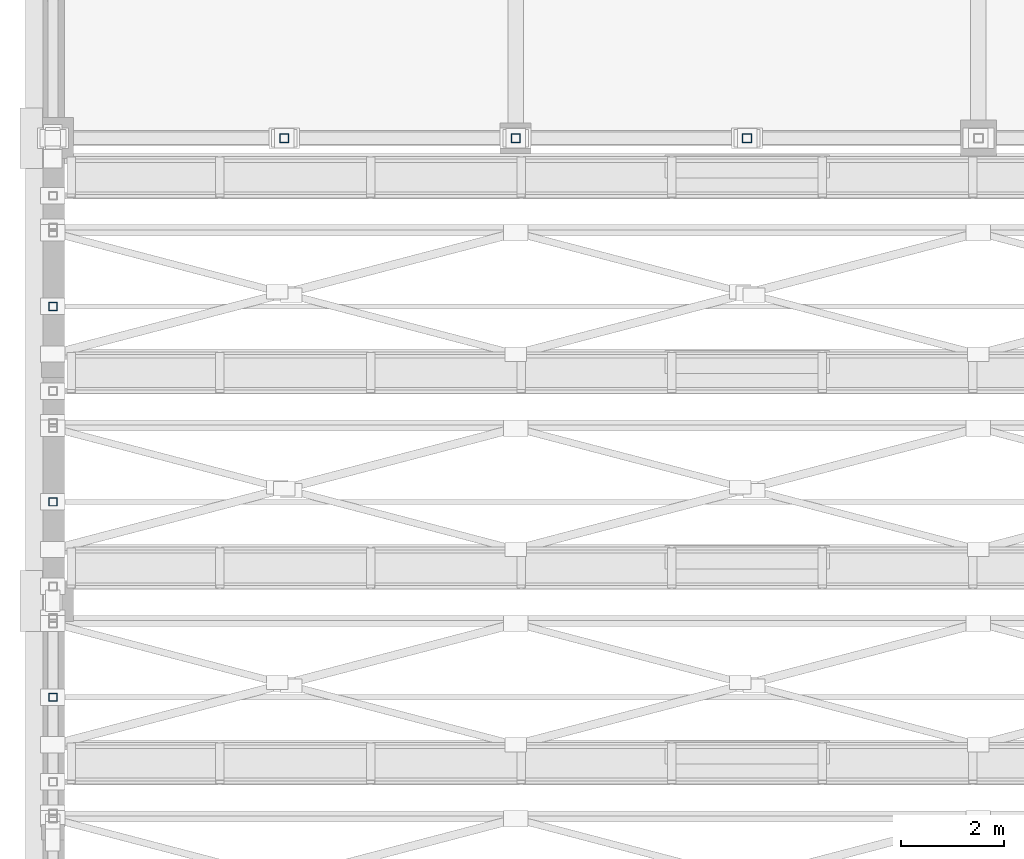
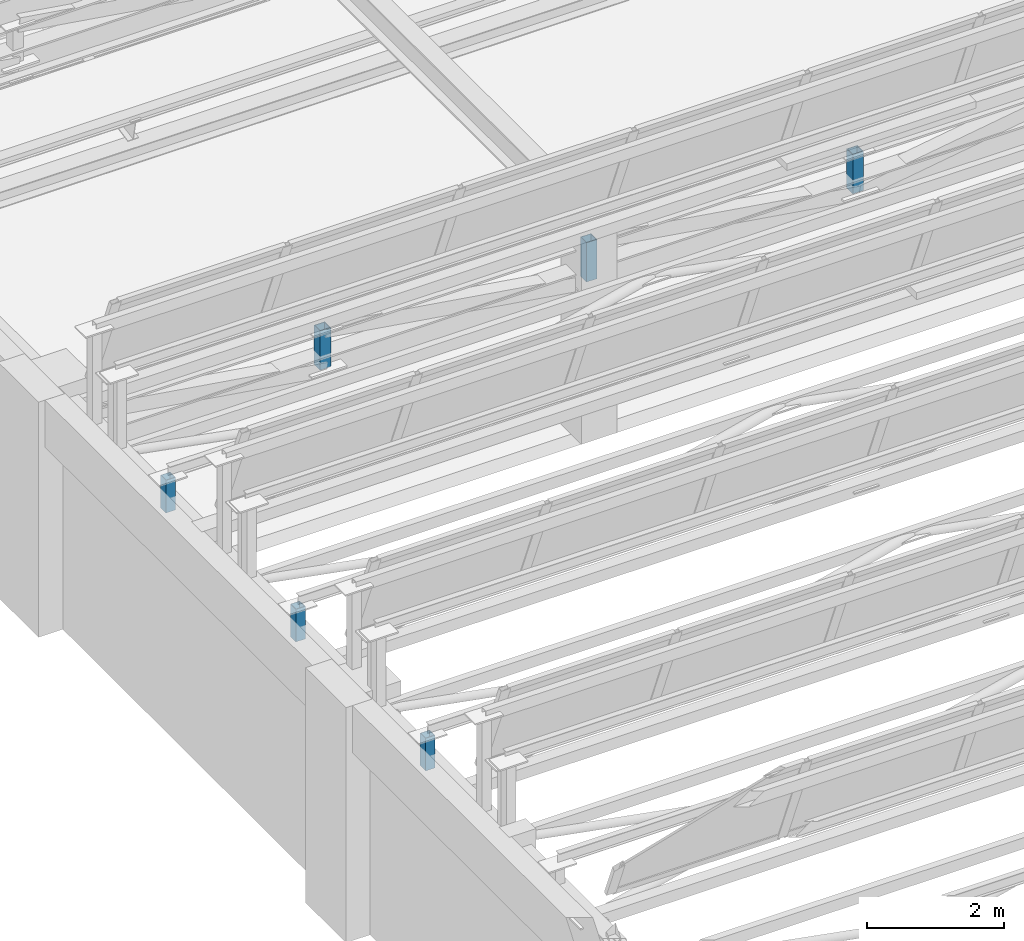
# One storey, part 76 of 108: 6 members.
"""IFC4 building model written with IfcOpenShell, lengths in metres."""

import ifcopenshell
import ifcopenshell.guid

model = None  # the IFC model being written
_history = None  # IfcOwnerHistory: only IFC2X3 demands one
_inside = {}  # id of a spatial element -> (the spatial element, [elements in it])
_under = {}  # id of a project, library or spatial element -> (it, [spatial elements below it])
_declared = {}  # id of a project -> (the project, [libraries it declares])
_typed = {}  # id of a type object -> (the type object, [elements of that type])
_made_of = {}  # id of a material, layer set ... -> (it, [elements and type objects made of it])


def new_model(schema):
    """Start an empty IFC model of exactly this schema.

    Asked for "IFC4X3", IfcOpenShell would pick the latest addendum, in which some entities
    have other attributes; the version numbers below select the first issue.
    IFC2X3 requires an IfcOwnerHistory on every rooted entity: one is made here for all.
    """
    global model, _history
    if schema == "IFC4X3":
        model = ifcopenshell.file(schema_version=(4, 3, 0, 0))
    else:
        model = ifcopenshell.file(schema=schema)
    _inside.clear()
    _under.clear()
    _declared.clear()
    _typed.clear()
    _made_of.clear()
    _history = None
    if model.schema == "IFC2X3":
        org = make("IfcOrganization", Name="unknown")
        user = make(
            "IfcPersonAndOrganization",
            ThePerson=make("IfcPerson", FamilyName="unknown"),
            TheOrganization=org,
        )
        app = make(
            "IfcApplication",
            ApplicationDeveloper=org,
            Version="unknown",
            ApplicationFullName="unknown",
            ApplicationIdentifier="unknown",
        )
        _history = make(
            "IfcOwnerHistory",
            OwningUser=user,
            OwningApplication=app,
            ChangeAction="ADDED",
            CreationDate=0,
        )
    return model


def make(cls, **values):
    """One entity of the class cls with the attributes given. An attribute that is None is left unset."""
    return model.create_entity(
        cls, **{name: value for name, value in values.items() if value is not None}
    )


def rooted(cls, **values):
    """An entity with a GlobalId (a new one), such as an element, a storey or a relation."""
    return make(cls, GlobalId=ifcopenshell.guid.new(), OwnerHistory=_history, **values)


def si_unit(unit_type, name, prefix=None):
    """IfcSIUnit, for example si_unit("LENGTHUNIT", "METRE", prefix="MILLI")."""
    return make("IfcSIUnit", UnitType=unit_type, Prefix=prefix, Name=name)


def assignment(units):
    """IfcUnitAssignment: the units of a project."""
    return None if units is None else make("IfcUnitAssignment", Units=units)


def point(xyz):
    """IfcCartesianPoint."""
    return None if xyz is None else make("IfcCartesianPoint", Coordinates=xyz)


def direction(xyz):
    """IfcDirection."""
    return None if xyz is None else make("IfcDirection", DirectionRatios=xyz)


def frame(location, z_axis=None, x_axis=None):
    """IfcAxis2Placement3D, a coordinate frame: its origin and axes. An axis left out is left unset."""
    return make(
        "IfcAxis2Placement3D",
        Location=point(location),
        Axis=direction(z_axis),
        RefDirection=direction(x_axis),
    )


def frame_2d(location, x_axis=None):
    """IfcAxis2Placement2D, a coordinate frame in the plane: its origin and x axis."""
    return make(
        "IfcAxis2Placement2D", Location=point(location), RefDirection=direction(x_axis)
    )


def origin():
    """The frame at (0, 0, 0) with its axes left unset."""
    return frame((0.0, 0.0, 0.0))


def origin_2d():
    """The frame at (0, 0) in the plane with its x axis left unset."""
    return frame_2d((0.0, 0.0))


def place(relative_to, where):
    """IfcLocalPlacement: puts the frame where relative to a parent placement (None: the world)."""
    return make(
        "IfcLocalPlacement", PlacementRelTo=relative_to, RelativePlacement=where
    )


def context(
    kind, dimensions, precision=None, world=None, true_north=None, identifier=None
):
    """IfcGeometricRepresentationContext, for example the 3D "Model" context."""
    return make(
        "IfcGeometricRepresentationContext",
        ContextIdentifier=identifier,
        ContextType=kind,
        CoordinateSpaceDimension=dimensions,
        Precision=precision,
        WorldCoordinateSystem=world,
        TrueNorth=true_north,
    )


def subcontext(parent, identifier, kind, view, scale=None):
    """IfcGeometricRepresentationSubContext, for example "Body" below "Model"."""
    return make(
        "IfcGeometricRepresentationSubContext",
        ContextIdentifier=identifier,
        ContextType=kind,
        ParentContext=parent,
        TargetScale=scale,
        TargetView=view,
    )


def project(units=None, contexts=None):
    """IfcProject with its units and contexts."""
    return rooted(
        "IfcProject",
        Name="project",
        RepresentationContexts=contexts,
        UnitsInContext=assignment(units),
    )


def spatial(cls, under=None, at=None, **own):
    """A site, building, storey or space (cls), placed at a placement, below another one or the project."""
    s = rooted(cls, ObjectPlacement=at, **own)
    if under is not None:
        _under.setdefault(under.id(), (under, []))[1].append(s)
    return s


def profile(cls, at=None, kind="AREA", **sizes):
    """A parametric profile (cls). Its sizes go by their IFC names, for example OverallWidth=200.0."""
    return make(cls, ProfileType=kind, Position=at, **sizes)


def hollow_rectangle(**sizes):
    """IfcRectangleHollowProfileDef."""
    return profile("IfcRectangleHollowProfileDef", **sizes)


def extrude(swept, where, along, depth):
    """IfcExtrudedAreaSolid: the profile swept, set in the frame where, extruded along a direction by depth."""
    return make(
        "IfcExtrudedAreaSolid",
        SweptArea=swept,
        Position=where,
        ExtrudedDirection=direction(along),
        Depth=depth,
    )


def shape(context_of_items, identifier, shape_type, items):
    """IfcShapeRepresentation: the items that make up one representation, for example the "Body"."""
    return make(
        "IfcShapeRepresentation",
        ContextOfItems=context_of_items,
        RepresentationIdentifier=identifier,
        RepresentationType=shape_type,
        Items=items,
    )


def material(Name=None, Category=None):
    """IfcMaterial."""
    return make("IfcMaterial", Name=Name, Category=Category)


def material_profile(
    of_material, cross_section, Name=None, Category=None, Priority=None
):
    """IfcMaterialProfile: a cross section and its material."""
    return make(
        "IfcMaterialProfile",
        Name=Name,
        Material=of_material,
        Profile=cross_section,
        Priority=Priority,
        Category=Category,
    )


def profile_set(profiles, Name=None, composite=None):
    """IfcMaterialProfileSet."""
    return make(
        "IfcMaterialProfileSet",
        Name=Name,
        MaterialProfiles=profiles,
        CompositeProfile=composite,
    )


def made_of(thing, what):
    """Note that an element or type object is made of a material, layer set ...; save() writes the relation."""
    if what is not None:
        _made_of.setdefault(what.id(), (what, []))[1].append(thing)
    return thing


def type_object(cls, material=None, **own):
    """A type object (cls), such as IfcWallType, which elements share."""
    return made_of(rooted(cls, **own), material)


def element(
    cls,
    number,
    at=None,
    inside=None,
    cuts=None,
    type_object=None,
    material=None,
    context=None,
    identifier="Body",
    shape_type=None,
    held_by="IfcProductDefinitionShape",
    body=None,
    shapes=None,
    **own,
):
    """One element of the class cls, such as IfcWall. Its Tag is "e" and its number.

    at: its placement. inside: the storey or other place that contains it. cuts: it is an
    opening in that element (IfcRelVoidsElement). A single representation is given by context,
    identifier, shape_type and body (its items); several are given by shapes. held_by: the class
    of the entity that holds the representations. save() writes the other relations.
    """
    e = rooted(cls, Tag="e%d" % number, ObjectPlacement=at, **own)
    if body is not None:
        shapes = [shape(context, identifier, shape_type, body)]
    if shapes is not None:
        e.Representation = make(held_by, Representations=shapes)
    if inside is not None:
        _inside.setdefault(inside.id(), (inside, []))[1].append(e)
    if cuts is not None:
        rooted(
            "IfcRelVoidsElement", RelatingBuildingElement=cuts, RelatedOpeningElement=e
        )
    if type_object is not None:
        _typed.setdefault(type_object.id(), (type_object, []))[1].append(e)
    return made_of(e, material)


def aggregate(whole, parts):
    """IfcRelAggregates: a whole, such as a stair, and the parts it consists of."""
    return rooted("IfcRelAggregates", RelatingObject=whole, RelatedObjects=parts)


def save(model, path):
    """Write the relations noted so far, then the file.

    IfcRelAggregates (storeys below a building ...), IfcRelContainedInSpatialStructure (elements
    in a storey), IfcRelDefinesByType, IfcRelAssociatesMaterial and IfcRelDeclares: one each for
    every whole, place, type object, material and project.
    """
    for whole, parts in _under.values():
        aggregate(whole, parts)
    for where, things in _inside.values():
        rooted(
            "IfcRelContainedInSpatialStructure",
            RelatedElements=things,
            RelatingStructure=where,
        )
    for kind, things in _typed.values():
        rooted("IfcRelDefinesByType", RelatedObjects=things, RelatingType=kind)
    for what, things in _made_of.values():
        rooted("IfcRelAssociatesMaterial", RelatedObjects=things, RelatingMaterial=what)
    for by, libraries in _declared.values():
        rooted("IfcRelDeclares", RelatingContext=by, RelatedDefinitions=libraries)
    model.write(path)


model = new_model("IFC4")

# Units and contexts
model_context = context("Model", 3, precision=1e-05, world=origin(), true_north=direction((0.0, 1.0)))
body_context = subcontext(model_context, "Body", "Model", "MODEL_VIEW")
ifc_project = project(units=[si_unit("LENGTHUNIT", "METRE"), si_unit("AREAUNIT", "SQUARE_METRE"), si_unit("VOLUMEUNIT", "CUBIC_METRE"), si_unit("PLANEANGLEUNIT", "RADIAN"), si_unit("MASSUNIT", "GRAM", prefix="KILO")], contexts=[model_context])

# Site, building, storey
site_placement = place(None, origin())
site = spatial("IfcSite", under=ifc_project, at=site_placement, CompositionType="ELEMENT")
building_placement = place(site_placement, origin())
building = spatial("IfcBuilding", under=site, at=building_placement, Name="Lykobir Media Centre", CompositionType="ELEMENT")
storey_placement = place(building_placement, frame((0.0, 0.0, 15.0)))
storey = spatial("IfcBuildingStorey", under=building, at=storey_placement, Name="L03", CompositionType="ELEMENT", Elevation=15.0)

# Members
ifc_material = material(Name="Steel S355", Category="steel")
ifc_material_profile_1 = material_profile(ifc_material, hollow_rectangle(XDim=0.159912109375, YDim=0.159912109375, WallThickness=0.008056640625, at=origin_2d()), Name="SHS 160x160x8")
ifc_profile_set_1 = profile_set([ifc_material_profile_1], Name="Steel S355")
member_type_1 = type_object("IfcMemberType", Name="BR-SHS160-E", PredefinedType="BRACE", material=ifc_profile_set_1)
for number, where, z_axis, x_axis, name in (
    (1, (0.0, 16.127197265625, 3.699951171875), (0.0, 0.0, 1.0), (1.0, 0.0, 0.0), "Diagonal brace MEM2-L03-0000-0161-0187-0000-0161-0237"),
    (2, (0.0, 19.92724609375, 3.699951171875), (0.0, 0.0, 1.0), (1.0, 0.0, 0.0), "Diagonal brace MEM2-L03-0000-0199-0187-0000-0199-0257"),
    (3, (0.0, 23.727294921875, 3.699951171875), (0.0, 0.0, 1.0), (1.0, 0.0, 0.0), "Diagonal brace MEM2-L03-0000-0237-0187-0000-0237-0278"),
):
    element("IfcMember", number, at=place(storey_placement, frame(where, z_axis=z_axis, x_axis=x_axis)), inside=storey, type_object=member_type_1, Name=name, PredefinedType="BRACE", context=body_context, shape_type="SweptSolid", body=[
        extrude(hollow_rectangle(XDim=0.159912109375, YDim=0.159912109375, WallThickness=0.008056640625, at=origin_2d()), origin(), (0.0, 0.0, 1.0), 0.582763671875),
    ])
ifc_material_profile_2 = material_profile(ifc_material, hollow_rectangle(XDim=0.179931640625, YDim=0.179931640625, WallThickness=0.010009765625, at=origin_2d()), Name="SHS 180x180x10")
ifc_profile_set_2 = profile_set([ifc_material_profile_2], Name="Steel S355")
member_type_2 = type_object("IfcMemberType", Name="BR-SHS180", PredefinedType="BRACE", material=ifc_profile_set_2)
for number, where, z_axis, x_axis, name in (
    (4, (4.5, 27.0, 2.699951171875), (0.0, 0.0, 1.0), (1.0, 0.0, 0.0), "Diagonal brace MEM2-L03-0045-0270-0177-0045-0270-0100"),
    (5, (9.0, 27.0, 2.699951171875), (0.0, 0.0, 1.0), (1.0, 0.0, 0.0), "Diagonal brace MEM2-L03-0090-0270-0177-0090-0270-0102"),
    (6, (13.5, 27.0, 2.699951171875), (0.0, 0.0, 1.0), (1.0, 0.0, 0.0), "Diagonal brace MEM2-L03-0135-0270-0177-0135-0270-0104"),
):
    element("IfcMember", number, at=place(storey_placement, frame(where, z_axis=z_axis, x_axis=x_axis)), inside=storey, type_object=member_type_2, Name=name, PredefinedType="BRACE", context=body_context, shape_type="SweptSolid", body=[
        extrude(hollow_rectangle(XDim=0.179931640625, YDim=0.179931640625, WallThickness=0.010009765625, at=origin_2d()), origin(), (0.0, 0.0, 1.0), 0.699951171875),
    ])

save(model, "model.ifc")
